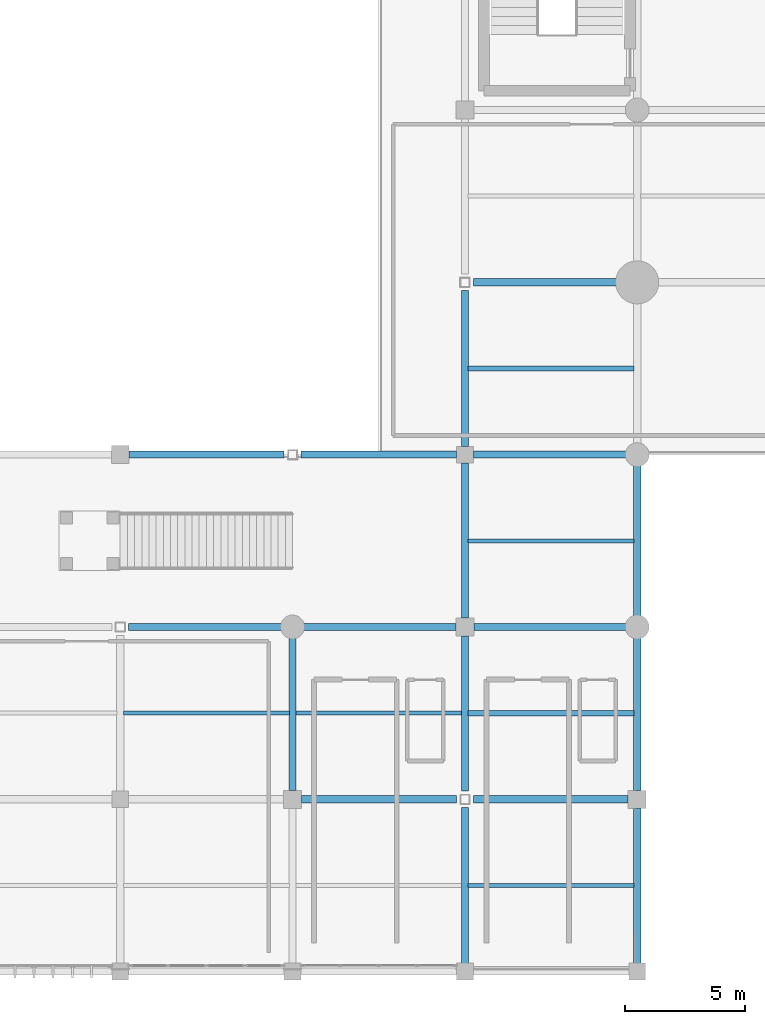
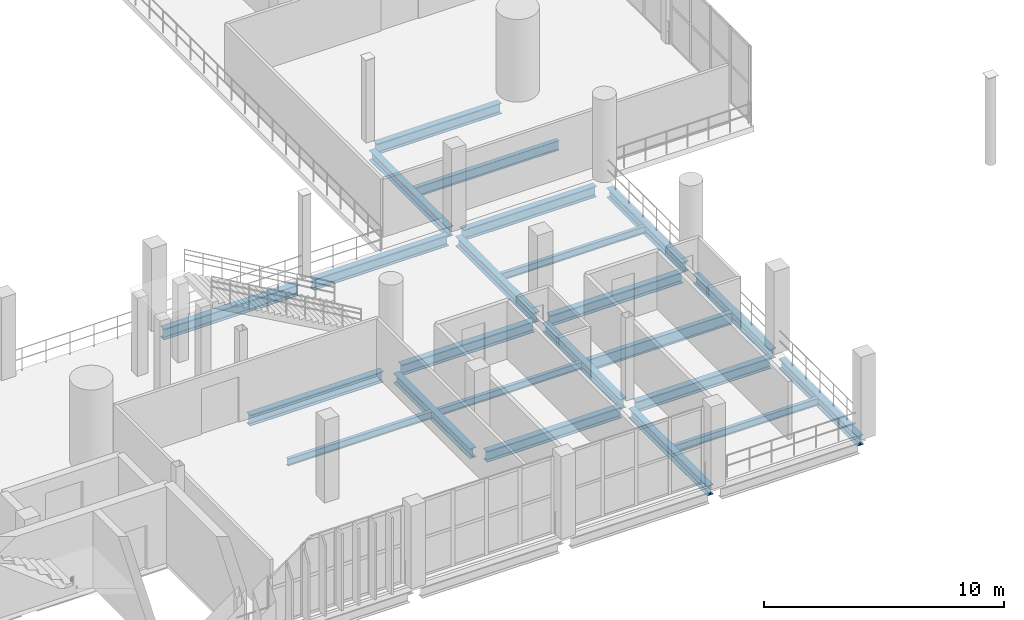
# One storey, part 41 of 130: 23 beams.
"""IFC4 building model written with IfcOpenShell, lengths in metres."""

import ifcopenshell
import ifcopenshell.guid

model = None  # the IFC model being written
_history = None  # IfcOwnerHistory: only IFC2X3 demands one
_inside = {}  # id of a spatial element -> (the spatial element, [elements in it])
_under = {}  # id of a project, library or spatial element -> (it, [spatial elements below it])
_declared = {}  # id of a project -> (the project, [libraries it declares])
_typed = {}  # id of a type object -> (the type object, [elements of that type])
_made_of = {}  # id of a material, layer set ... -> (it, [elements and type objects made of it])


def new_model(schema):
    """Start an empty IFC model of exactly this schema.

    Asked for "IFC4X3", IfcOpenShell would pick the latest addendum, in which some entities
    have other attributes; the version numbers below select the first issue.
    IFC2X3 requires an IfcOwnerHistory on every rooted entity: one is made here for all.
    """
    global model, _history
    if schema == "IFC4X3":
        model = ifcopenshell.file(schema_version=(4, 3, 0, 0))
    else:
        model = ifcopenshell.file(schema=schema)
    _inside.clear()
    _under.clear()
    _declared.clear()
    _typed.clear()
    _made_of.clear()
    _history = None
    if model.schema == "IFC2X3":
        org = make("IfcOrganization", Name="unknown")
        user = make(
            "IfcPersonAndOrganization",
            ThePerson=make("IfcPerson", FamilyName="unknown"),
            TheOrganization=org,
        )
        app = make(
            "IfcApplication",
            ApplicationDeveloper=org,
            Version="unknown",
            ApplicationFullName="unknown",
            ApplicationIdentifier="unknown",
        )
        _history = make(
            "IfcOwnerHistory",
            OwningUser=user,
            OwningApplication=app,
            ChangeAction="ADDED",
            CreationDate=0,
        )
    return model


def make(cls, **values):
    """One entity of the class cls with the attributes given. An attribute that is None is left unset."""
    return model.create_entity(
        cls, **{name: value for name, value in values.items() if value is not None}
    )


def rooted(cls, **values):
    """An entity with a GlobalId (a new one), such as an element, a storey or a relation."""
    return make(cls, GlobalId=ifcopenshell.guid.new(), OwnerHistory=_history, **values)


def si_unit(unit_type, name, prefix=None):
    """IfcSIUnit, for example si_unit("LENGTHUNIT", "METRE", prefix="MILLI")."""
    return make("IfcSIUnit", UnitType=unit_type, Prefix=prefix, Name=name)


def assignment(units):
    """IfcUnitAssignment: the units of a project."""
    return None if units is None else make("IfcUnitAssignment", Units=units)


def point(xyz):
    """IfcCartesianPoint."""
    return None if xyz is None else make("IfcCartesianPoint", Coordinates=xyz)


def direction(xyz):
    """IfcDirection."""
    return None if xyz is None else make("IfcDirection", DirectionRatios=xyz)


def frame(location, z_axis=None, x_axis=None):
    """IfcAxis2Placement3D, a coordinate frame: its origin and axes. An axis left out is left unset."""
    return make(
        "IfcAxis2Placement3D",
        Location=point(location),
        Axis=direction(z_axis),
        RefDirection=direction(x_axis),
    )


def frame_2d(location, x_axis=None):
    """IfcAxis2Placement2D, a coordinate frame in the plane: its origin and x axis."""
    return make(
        "IfcAxis2Placement2D", Location=point(location), RefDirection=direction(x_axis)
    )


def origin():
    """The frame at (0, 0, 0) with its axes left unset."""
    return frame((0.0, 0.0, 0.0))


def origin_2d():
    """The frame at (0, 0) in the plane with its x axis left unset."""
    return frame_2d((0.0, 0.0))


def place(relative_to, where):
    """IfcLocalPlacement: puts the frame where relative to a parent placement (None: the world)."""
    return make(
        "IfcLocalPlacement", PlacementRelTo=relative_to, RelativePlacement=where
    )


def context(
    kind, dimensions, precision=None, world=None, true_north=None, identifier=None
):
    """IfcGeometricRepresentationContext, for example the 3D "Model" context."""
    return make(
        "IfcGeometricRepresentationContext",
        ContextIdentifier=identifier,
        ContextType=kind,
        CoordinateSpaceDimension=dimensions,
        Precision=precision,
        WorldCoordinateSystem=world,
        TrueNorth=true_north,
    )


def subcontext(parent, identifier, kind, view, scale=None):
    """IfcGeometricRepresentationSubContext, for example "Body" below "Model"."""
    return make(
        "IfcGeometricRepresentationSubContext",
        ContextIdentifier=identifier,
        ContextType=kind,
        ParentContext=parent,
        TargetScale=scale,
        TargetView=view,
    )


def project(units=None, contexts=None):
    """IfcProject with its units and contexts."""
    return rooted(
        "IfcProject",
        Name="project",
        RepresentationContexts=contexts,
        UnitsInContext=assignment(units),
    )


def spatial(cls, under=None, at=None, **own):
    """A site, building, storey or space (cls), placed at a placement, below another one or the project."""
    s = rooted(cls, ObjectPlacement=at, **own)
    if under is not None:
        _under.setdefault(under.id(), (under, []))[1].append(s)
    return s


def profile(cls, at=None, kind="AREA", **sizes):
    """A parametric profile (cls). Its sizes go by their IFC names, for example OverallWidth=200.0."""
    return make(cls, ProfileType=kind, Position=at, **sizes)


def i_section(**sizes):
    """IfcIShapeProfileDef."""
    return profile("IfcIShapeProfileDef", **sizes)


def extrude(swept, where, along, depth):
    """IfcExtrudedAreaSolid: the profile swept, set in the frame where, extruded along a direction by depth."""
    return make(
        "IfcExtrudedAreaSolid",
        SweptArea=swept,
        Position=where,
        ExtrudedDirection=direction(along),
        Depth=depth,
    )


def shape(context_of_items, identifier, shape_type, items):
    """IfcShapeRepresentation: the items that make up one representation, for example the "Body"."""
    return make(
        "IfcShapeRepresentation",
        ContextOfItems=context_of_items,
        RepresentationIdentifier=identifier,
        RepresentationType=shape_type,
        Items=items,
    )


def material(Name=None, Category=None):
    """IfcMaterial."""
    return make("IfcMaterial", Name=Name, Category=Category)


def material_profile(
    of_material, cross_section, Name=None, Category=None, Priority=None
):
    """IfcMaterialProfile: a cross section and its material."""
    return make(
        "IfcMaterialProfile",
        Name=Name,
        Material=of_material,
        Profile=cross_section,
        Priority=Priority,
        Category=Category,
    )


def profile_set(profiles, Name=None, composite=None):
    """IfcMaterialProfileSet."""
    return make(
        "IfcMaterialProfileSet",
        Name=Name,
        MaterialProfiles=profiles,
        CompositeProfile=composite,
    )


def made_of(thing, what):
    """Note that an element or type object is made of a material, layer set ...; save() writes the relation."""
    if what is not None:
        _made_of.setdefault(what.id(), (what, []))[1].append(thing)
    return thing


def type_object(cls, material=None, **own):
    """A type object (cls), such as IfcWallType, which elements share."""
    return made_of(rooted(cls, **own), material)


def element(
    cls,
    number,
    at=None,
    inside=None,
    cuts=None,
    type_object=None,
    material=None,
    context=None,
    identifier="Body",
    shape_type=None,
    held_by="IfcProductDefinitionShape",
    body=None,
    shapes=None,
    **own,
):
    """One element of the class cls, such as IfcWall. Its Tag is "e" and its number.

    at: its placement. inside: the storey or other place that contains it. cuts: it is an
    opening in that element (IfcRelVoidsElement). A single representation is given by context,
    identifier, shape_type and body (its items); several are given by shapes. held_by: the class
    of the entity that holds the representations. save() writes the other relations.
    """
    e = rooted(cls, Tag="e%d" % number, ObjectPlacement=at, **own)
    if body is not None:
        shapes = [shape(context, identifier, shape_type, body)]
    if shapes is not None:
        e.Representation = make(held_by, Representations=shapes)
    if inside is not None:
        _inside.setdefault(inside.id(), (inside, []))[1].append(e)
    if cuts is not None:
        rooted(
            "IfcRelVoidsElement", RelatingBuildingElement=cuts, RelatedOpeningElement=e
        )
    if type_object is not None:
        _typed.setdefault(type_object.id(), (type_object, []))[1].append(e)
    return made_of(e, material)


def aggregate(whole, parts):
    """IfcRelAggregates: a whole, such as a stair, and the parts it consists of."""
    return rooted("IfcRelAggregates", RelatingObject=whole, RelatedObjects=parts)


def save(model, path):
    """Write the relations noted so far, then the file.

    IfcRelAggregates (storeys below a building ...), IfcRelContainedInSpatialStructure (elements
    in a storey), IfcRelDefinesByType, IfcRelAssociatesMaterial and IfcRelDeclares: one each for
    every whole, place, type object, material and project.
    """
    for whole, parts in _under.values():
        aggregate(whole, parts)
    for where, things in _inside.values():
        rooted(
            "IfcRelContainedInSpatialStructure",
            RelatedElements=things,
            RelatingStructure=where,
        )
    for kind, things in _typed.values():
        rooted("IfcRelDefinesByType", RelatedObjects=things, RelatingType=kind)
    for what, things in _made_of.values():
        rooted("IfcRelAssociatesMaterial", RelatedObjects=things, RelatingMaterial=what)
    for by, libraries in _declared.values():
        rooted("IfcRelDeclares", RelatingContext=by, RelatedDefinitions=libraries)
    model.write(path)


model = new_model("IFC4")

# Units and contexts
model_context = context("Model", 3, precision=1e-05, world=origin(), true_north=direction((0.0, 1.0)))
body_context = subcontext(model_context, "Body", "Model", "MODEL_VIEW")
ifc_project = project(units=[si_unit("LENGTHUNIT", "METRE"), si_unit("AREAUNIT", "SQUARE_METRE"), si_unit("VOLUMEUNIT", "CUBIC_METRE"), si_unit("PLANEANGLEUNIT", "RADIAN"), si_unit("MASSUNIT", "GRAM", prefix="KILO")], contexts=[model_context])

# Site, building, storey
site_placement = place(None, origin())
site = spatial("IfcSite", under=ifc_project, at=site_placement, CompositionType="ELEMENT")
building_placement = place(site_placement, origin())
building = spatial("IfcBuilding", under=site, at=building_placement, Name="Qandorah Velis Arena", CompositionType="ELEMENT")
storey_placement = place(building_placement, frame((0.0, 0.0, 9.60009765625)))
storey = spatial("IfcBuildingStorey", under=building, at=storey_placement, Name="L02", CompositionType="ELEMENT", Elevation=9.60009765625)

# Beams
ifc_material = material(Name="Steel S355", Category="steel")
ifc_material_profile_1 = material_profile(ifc_material, i_section(OverallWidth=0.300048828125, OverallDepth=0.5, WebThickness=0.014404296875, FlangeThickness=0.028076171875, FilletRadius=0.027099609375, at=origin_2d()), Name="HEB 500")
ifc_profile_set_1 = profile_set([ifc_material_profile_1], Name="Steel S355")
beam_type_1 = type_object("IfcBeamType", Name="STR-BM-HEB500", PredefinedType="BEAM", material=ifc_profile_set_1)
beam_1_placement = place(storey_placement, frame((100.800048828125, 7.574951171875, -0.530029296875), z_axis=(0.0, 1.0, 0.0), x_axis=(-1.0, 0.0, 0.0)))
element("IfcBeam", 1, at=beam_1_placement, inside=storey, type_object=beam_type_1, Name="Primary floor girder L02 Y-285", PredefinedType="BEAM", context=body_context, shape_type="SweptSolid", body=[
    extrude(i_section(OverallWidth=0.300048828125, OverallDepth=0.5, WebThickness=0.014404296875, FlangeThickness=0.028076171875, FilletRadius=0.027099609375, at=origin_2d()), origin(), (0.0, 0.0, 1.0), 6.375),
])
beam_2_placement = place(storey_placement, frame((108.0, 0.300048828125, -0.530029296875), z_axis=(0.0, 1.0, 0.0), x_axis=(-1.0, 0.0, 0.0)))
element("IfcBeam", 2, at=beam_2_placement, inside=storey, type_object=beam_type_1, Name="Primary floor girder L02 Y-287", PredefinedType="BEAM", context=body_context, shape_type="SweptSolid", body=[
    extrude(i_section(OverallWidth=0.300048828125, OverallDepth=0.5, WebThickness=0.014404296875, FlangeThickness=0.028076171875, FilletRadius=0.027099609375, at=origin_2d()), origin(), (0.0, 0.0, 1.0), 6.550048828125),
])
beam_3_placement = place(storey_placement, frame((108.0, 7.550048828125, -0.530029296875), z_axis=(0.0, 1.0, 0.0), x_axis=(-1.0, 0.0, 0.0)))
element("IfcBeam", 3, at=beam_3_placement, inside=storey, type_object=beam_type_1, Name="Primary floor girder L02 Y-288", PredefinedType="BEAM", context=body_context, shape_type="SweptSolid", body=[
    extrude(i_section(OverallWidth=0.300048828125, OverallDepth=0.5, WebThickness=0.014404296875, FlangeThickness=0.028076171875, FilletRadius=0.027099609375, at=origin_2d()), origin(), (0.0, 0.0, 1.0), 6.474853515625),
])
beam_4_placement = place(storey_placement, frame((108.0, 14.77490234375, -0.530029296875), z_axis=(0.0, 1.0, 0.0), x_axis=(-1.0, 0.0, 0.0)))
element("IfcBeam", 4, at=beam_4_placement, inside=storey, type_object=beam_type_1, Name="Primary floor girder L02 Y-289", PredefinedType="BEAM", context=body_context, shape_type="SweptSolid", body=[
    extrude(i_section(OverallWidth=0.300048828125, OverallDepth=0.5, WebThickness=0.014404296875, FlangeThickness=0.028076171875, FilletRadius=0.027099609375, at=origin_2d()), origin(), (0.0, 0.0, 1.0), 6.47509765625),
])
beam_5_placement = place(storey_placement, frame((108.0, 21.949951171875, -0.530029296875), z_axis=(0.0, 1.0, 0.0), x_axis=(-1.0, 0.0, 0.0)))
element("IfcBeam", 5, at=beam_5_placement, inside=storey, type_object=beam_type_1, Name="Primary floor girder L02 Y-290", PredefinedType="BEAM", context=body_context, shape_type="SweptSolid", body=[
    extrude(i_section(OverallWidth=0.300048828125, OverallDepth=0.5, WebThickness=0.014404296875, FlangeThickness=0.028076171875, FilletRadius=0.027099609375, at=origin_2d()), origin(), (0.0, 0.0, 1.0), 6.5),
])
beam_6_placement = place(storey_placement, frame((115.199951171875, 0.300048828125, -0.530029296875), z_axis=(0.0, 1.0, 0.0), x_axis=(-1.0, 0.0, 0.0)))
element("IfcBeam", 6, at=beam_6_placement, inside=storey, type_object=beam_type_1, Name="Primary floor girder L02 Y-305", PredefinedType="BEAM", context=body_context, shape_type="SweptSolid", body=[
    extrude(i_section(OverallWidth=0.300048828125, OverallDepth=0.5, WebThickness=0.014404296875, FlangeThickness=0.028076171875, FilletRadius=0.027099609375, at=origin_2d()), origin(), (0.0, 0.0, 1.0), 6.52490234375),
])
beam_7_placement = place(storey_placement, frame((115.199951171875, 7.574951171875, -0.530029296875), z_axis=(0.0, 1.0, 0.0), x_axis=(-1.0, 0.0, 0.0)))
element("IfcBeam", 7, at=beam_7_placement, inside=storey, type_object=beam_type_1, Name="Primary floor girder L02 Y-306", PredefinedType="BEAM", context=body_context, shape_type="SweptSolid", body=[
    extrude(i_section(OverallWidth=0.300048828125, OverallDepth=0.5, WebThickness=0.014404296875, FlangeThickness=0.028076171875, FilletRadius=0.027099609375, at=origin_2d()), origin(), (0.0, 0.0, 1.0), 6.375),
])
beam_8_placement = place(storey_placement, frame((115.199951171875, 14.85009765625, -0.530029296875), z_axis=(0.0, 1.0, 0.0), x_axis=(-1.0, 0.0, 0.0)))
element("IfcBeam", 8, at=beam_8_placement, inside=storey, type_object=beam_type_1, Name="Primary floor girder L02 Y-307", PredefinedType="BEAM", context=body_context, shape_type="SweptSolid", body=[
    extrude(i_section(OverallWidth=0.300048828125, OverallDepth=0.5, WebThickness=0.014404296875, FlangeThickness=0.028076171875, FilletRadius=0.027099609375, at=origin_2d()), origin(), (0.0, 0.0, 1.0), 6.2998046875),
])
ifc_material_profile_2 = material_profile(ifc_material, i_section(OverallWidth=0.300048828125, OverallDepth=0.550048828125, WebThickness=0.014892578125, FlangeThickness=0.029052734375, FilletRadius=0.027099609375, at=origin_2d()), Name="HEB 550")
ifc_profile_set_2 = profile_set([ifc_material_profile_2], Name="Steel S355")
beam_type_2 = type_object("IfcBeamType", Name="STR-BM-HEB550", PredefinedType="BEAM", material=ifc_profile_set_2)
for number, where, z_axis, x_axis, name in (
    (9, (101.175048828125, 7.199951171875, -0.55517578125), (1.0, 0.0, 0.0), (0.0, 1.0, 0.0), "Primary floor girder L02 X-023"),
    (10, (108.35009765625, 7.199951171875, -0.55517578125), (1.0, 0.0, 0.0), (0.0, 1.0, 0.0), "Primary floor girder L02 X-024"),
):
    element("IfcBeam", number, at=place(storey_placement, frame(where, z_axis=z_axis, x_axis=x_axis)), inside=storey, type_object=beam_type_2, Name=name, PredefinedType="BEAM", context=body_context, shape_type="SweptSolid", body=[
        extrude(i_section(OverallWidth=0.300048828125, OverallDepth=0.550048828125, WebThickness=0.014892578125, FlangeThickness=0.029052734375, FilletRadius=0.027099609375, at=origin_2d()), origin(), (0.0, 0.0, 1.0), 6.474853515625),
    ])
beam_9_placement = place(storey_placement, frame((93.949951171875, 14.39990234375, -0.55517578125), z_axis=(1.0, 0.0, 0.0), x_axis=(0.0, 1.0, 0.0)))
element("IfcBeam", 11, at=beam_9_placement, inside=storey, type_object=beam_type_2, Name="Primary floor girder L02 X-038", PredefinedType="BEAM", context=body_context, shape_type="SweptSolid", body=[
    extrude(i_section(OverallWidth=0.300048828125, OverallDepth=0.550048828125, WebThickness=0.014892578125, FlangeThickness=0.029052734375, FilletRadius=0.027099609375, at=origin_2d()), origin(), (0.0, 0.0, 1.0), 6.400146484375),
])
for number, where, z_axis, x_axis, name in (
    (12, (101.25, 14.39990234375, -0.55517578125), (1.0, 0.0, 0.0), (0.0, 1.0, 0.0), "Primary floor girder L02 X-039"),
    (13, (108.375, 14.39990234375, -0.55517578125), (1.0, 0.0, 0.0), (0.0, 1.0, 0.0), "Primary floor girder L02 X-040"),
):
    element("IfcBeam", number, at=place(storey_placement, frame(where, z_axis=z_axis, x_axis=x_axis)), inside=storey, type_object=beam_type_2, Name=name, PredefinedType="BEAM", context=body_context, shape_type="SweptSolid", body=[
        extrude(i_section(OverallWidth=0.300048828125, OverallDepth=0.550048828125, WebThickness=0.014892578125, FlangeThickness=0.029052734375, FilletRadius=0.027099609375, at=origin_2d()), origin(), (0.0, 0.0, 1.0), 6.375),
    ])
beam_10_placement = place(storey_placement, frame((93.97509765625, 21.60009765625, -0.55517578125), z_axis=(1.0, 0.0, 0.0), x_axis=(0.0, 1.0, 0.0)))
element("IfcBeam", 14, at=beam_10_placement, inside=storey, type_object=beam_type_2, Name="Primary floor girder L02 X-054", PredefinedType="BEAM", context=body_context, shape_type="SweptSolid", body=[
    extrude(i_section(OverallWidth=0.300048828125, OverallDepth=0.550048828125, WebThickness=0.014892578125, FlangeThickness=0.029052734375, FilletRadius=0.027099609375, at=origin_2d()), origin(), (0.0, 0.0, 1.0), 6.474853515625),
])
beam_11_placement = place(storey_placement, frame((101.14990234375, 21.60009765625, -0.55517578125), z_axis=(1.0, 0.0, 0.0), x_axis=(0.0, 1.0, 0.0)))
element("IfcBeam", 15, at=beam_11_placement, inside=storey, type_object=beam_type_2, Name="Primary floor girder L02 X-055", PredefinedType="BEAM", context=body_context, shape_type="SweptSolid", body=[
    extrude(i_section(OverallWidth=0.300048828125, OverallDepth=0.550048828125, WebThickness=0.014892578125, FlangeThickness=0.029052734375, FilletRadius=0.027099609375, at=origin_2d()), origin(), (0.0, 0.0, 1.0), 6.5),
])
beam_12_placement = place(storey_placement, frame((108.35009765625, 21.60009765625, -0.55517578125), z_axis=(1.0, 0.0, 0.0), x_axis=(0.0, 1.0, 0.0)))
element("IfcBeam", 16, at=beam_12_placement, inside=storey, type_object=beam_type_2, Name="Primary floor girder L02 X-056", PredefinedType="BEAM", context=body_context, shape_type="SweptSolid", body=[
    extrude(i_section(OverallWidth=0.300048828125, OverallDepth=0.550048828125, WebThickness=0.014892578125, FlangeThickness=0.029052734375, FilletRadius=0.027099609375, at=origin_2d()), origin(), (0.0, 0.0, 1.0), 6.39990234375),
])
beam_13_placement = place(storey_placement, frame((108.35009765625, 28.800048828125, -0.55517578125), z_axis=(1.0, 0.0, 0.0), x_axis=(0.0, 1.0, 0.0)))
element("IfcBeam", 17, at=beam_13_placement, inside=storey, type_object=beam_type_2, Name="Primary floor girder L02 X-060", PredefinedType="BEAM", context=body_context, shape_type="SweptSolid", body=[
    extrude(i_section(OverallWidth=0.300048828125, OverallDepth=0.550048828125, WebThickness=0.014892578125, FlangeThickness=0.029052734375, FilletRadius=0.027099609375, at=origin_2d()), origin(), (0.0, 0.0, 1.0), 6.0),
])
ifc_material_profile_3 = material_profile(ifc_material, i_section(OverallWidth=0.169921875, OverallDepth=0.360107421875, WebThickness=0.008056640625, FlangeThickness=0.0126953125, FilletRadius=0.01806640625, at=origin_2d()), Name="IPE 360")
ifc_profile_set_3 = profile_set([ifc_material_profile_3], Name="Steel S355")
beam_type_3 = type_object("IfcBeamType", Name="STR-JST-IPE360", PredefinedType="JOIST", material=ifc_profile_set_3)
for number, where, z_axis, x_axis, name in (
    (18, (93.735107421875, 10.800048828125, -0.460205078125), (1.0, 0.0, 0.0), (0.0, 1.0, 0.0), "Secondary floor joist L02-068"),
    (19, (100.93505859375, 10.800048828125, -0.460205078125), (1.0, 0.0, 0.0), (0.0, 1.0, 0.0), "Secondary floor joist L02-071"),
    (20, (108.135009765625, 3.60009765625, -0.460205078125), (1.0, 0.0, 0.0), (0.0, 1.0, 0.0), "Secondary floor joist L02-073"),
    (21, (108.135009765625, 18.0, -0.460205078125), (1.0, 0.0, 0.0), (0.0, 1.0, 0.0), "Secondary floor joist L02-075"),
):
    element("IfcBeam", number, at=place(storey_placement, frame(where, z_axis=z_axis, x_axis=x_axis)), inside=storey, type_object=beam_type_3, Name=name, PredefinedType="JOIST", context=body_context, shape_type="SweptSolid", body=[
        extrude(i_section(OverallWidth=0.169921875, OverallDepth=0.360107421875, WebThickness=0.008056640625, FlangeThickness=0.0126953125, FilletRadius=0.01806640625, at=origin_2d()), origin(), (0.0, 0.0, 1.0), 6.929931640625),
    ])
ifc_material_profile_4 = material_profile(ifc_material, i_section(OverallWidth=0.199951171875, OverallDepth=0.5, WebThickness=0.01025390625, FlangeThickness=0.01611328125, FilletRadius=0.02099609375, at=origin_2d()), Name="IPE 500")
ifc_profile_set_4 = profile_set([ifc_material_profile_4], Name="Steel S355")
beam_type_4 = type_object("IfcBeamType", Name="STR-JST-IPE500", PredefinedType="JOIST", material=ifc_profile_set_4)
beam_14_placement = place(storey_placement, frame((108.135009765625, 25.199951171875, -0.530029296875), z_axis=(1.0, 0.0, 0.0), x_axis=(0.0, 1.0, 0.0)))
element("IfcBeam", 22, at=beam_14_placement, inside=storey, type_object=beam_type_4, Name="Secondary floor joist L02-076", PredefinedType="JOIST", context=body_context, shape_type="SweptSolid", body=[
    extrude(i_section(OverallWidth=0.199951171875, OverallDepth=0.5, WebThickness=0.01025390625, FlangeThickness=0.01611328125, FilletRadius=0.02099609375, at=origin_2d()), origin(), (0.0, 0.0, 1.0), 6.929931640625),
])
ifc_material_profile_5 = material_profile(ifc_material, i_section(OverallWidth=0.219970703125, OverallDepth=0.60009765625, WebThickness=0.011962890625, FlangeThickness=0.01904296875, FilletRadius=0.02392578125, at=origin_2d()), Name="IPE 600")
ifc_profile_set_5 = profile_set([ifc_material_profile_5], Name="Steel S355")
beam_type_5 = type_object("IfcBeamType", Name="STR-JST-IPE600", PredefinedType="JOIST", material=ifc_profile_set_5)
beam_15_placement = place(storey_placement, frame((108.135009765625, 10.800048828125, -0.580078125), z_axis=(1.0, 0.0, 0.0), x_axis=(0.0, 1.0, 0.0)))
element("IfcBeam", 23, at=beam_15_placement, inside=storey, type_object=beam_type_5, Name="Secondary floor joist L02-074", PredefinedType="JOIST", context=body_context, shape_type="SweptSolid", body=[
    extrude(i_section(OverallWidth=0.219970703125, OverallDepth=0.60009765625, WebThickness=0.011962890625, FlangeThickness=0.01904296875, FilletRadius=0.02392578125, at=origin_2d()), origin(), (0.0, 0.0, 1.0), 6.929931640625),
])

save(model, "model.ifc")
